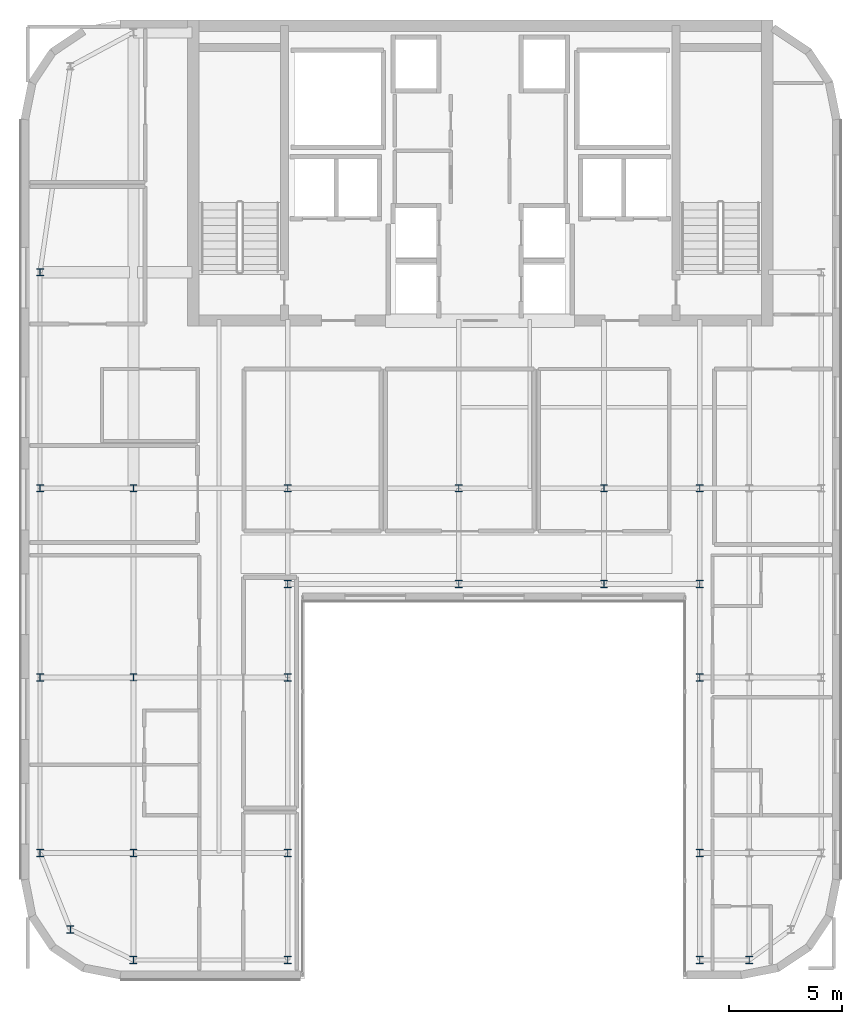
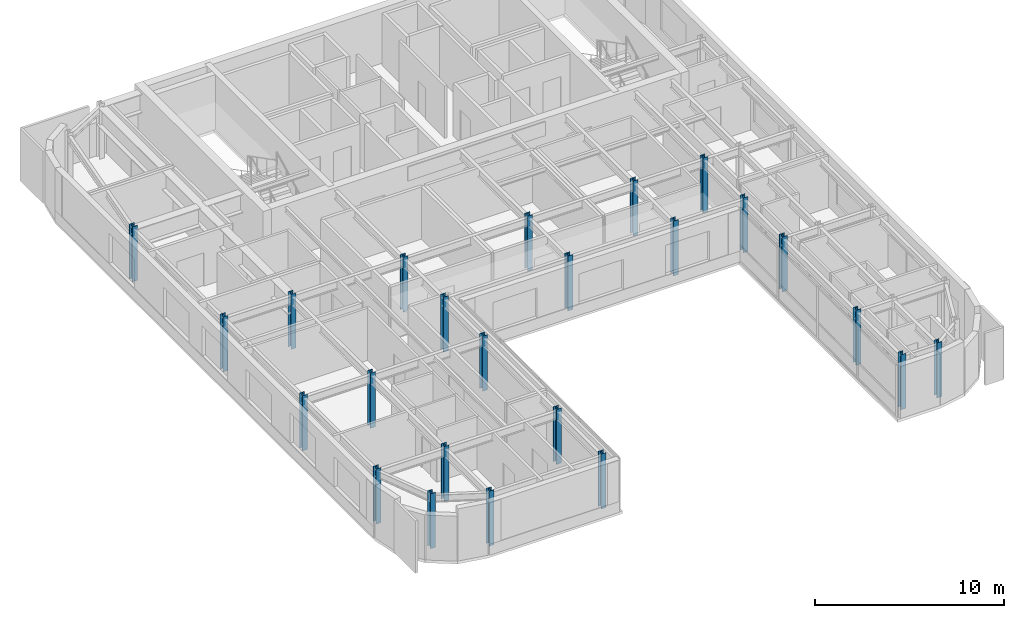
# One storey, part 1 of 21: 24 columns.
"""IFC4 building model written with IfcOpenShell, lengths in metres."""

from ifc_helpers import new_model, si_unit, direction, frame, origin, origin_2d, place, context, subcontext, project, spatial, i_section, extrude, source, transform, mapped, material, material_profile, profile_set, type_object, type_shapes, element, save


model = new_model("IFC4")

# Units and contexts
model_context = context("Model", 3, precision=1e-05, world=origin(), true_north=direction((0.0, 1.0)))
body_context = subcontext(model_context, "Body", "Model", "MODEL_VIEW")
ifc_project = project(units=[si_unit("LENGTHUNIT", "METRE"), si_unit("AREAUNIT", "SQUARE_METRE"), si_unit("VOLUMEUNIT", "CUBIC_METRE"), si_unit("PLANEANGLEUNIT", "RADIAN"), si_unit("MASSUNIT", "GRAM", prefix="KILO")], contexts=[model_context])

# Site, building, storey
site_placement = place(None, origin())
site = spatial("IfcSite", under=ifc_project, at=site_placement, CompositionType="ELEMENT")
building_placement = place(site_placement, origin())
building = spatial("IfcBuilding", under=site, at=building_placement, Name="Tolvann Quenvar Hotel", CompositionType="ELEMENT")
storey_placement = place(building_placement, frame((0.0, 0.0, 255.85009765625)))
storey = spatial("IfcBuildingStorey", under=building, at=storey_placement, Name="L68", CompositionType="ELEMENT", Elevation=255.85009765625)

# Columns
ifc_material = material(Name="Steel Grade 350", Category="steel")
ifc_material_profile_1 = material_profile(ifc_material, i_section(OverallWidth=0.30908203125, OverallDepth=0.321044921875, WebThickness=0.013916015625, FlangeThickness=0.021728515625, FilletRadius=0.0166015625, at=origin_2d()), Name="310UC137")
ifc_profile_set_1 = profile_set([ifc_material_profile_1], Name="Steel Grade 350")
column_type_1 = type_object("IfcColumnType", Name="COL_310UC137", PredefinedType="COLUMN", material=ifc_profile_set_1)
shared_shape_1 = source(origin(), body_context, "Body", "SweptSolid", [
    extrude(i_section(OverallWidth=0.30908203125, OverallDepth=0.321044921875, WebThickness=0.013916015625, FlangeThickness=0.021728515625, FilletRadius=0.0166015625, at=origin_2d()), origin(), (0.0, 0.0, 1.0), 3.5498046875),
])
type_shapes(column_type_1, [shared_shape_1])
for number, where, z_axis, x_axis, name in (
    (1, (4.800048828125, 4.800048828125, 0.0), (0.0, 0.0, 1.0), (1.0, 0.0, 0.0), "Column B2 (L68)"),
    (2, (3.449951171875, 8.199951171875, 0.0), (0.0, 0.0, 1.0), (1.0, 0.0, 0.0), "Column B3 (L68)"),
    (3, (3.449951171875, 16.0, 0.0), (0.0, 0.0, 1.0), (1.0, 0.0, 0.0), "Column B4 (L68)"),
    (4, (7.60009765625, 3.449951171875, 0.0), (0.0, 0.0, 1.0), (1.0, 0.0, 0.0), "Column C2 (L68)"),
    (5, (14.449951171875, 3.449951171875, 0.0), (0.0, 0.0, 1.0), (1.0, 0.0, 0.0), "Column D2 (L68)"),
    (6, (14.449951171875, 8.199951171875, 0.0), (0.0, 0.0, 1.0), (1.0, 0.0, 0.0), "Column D3 (L68)"),
    (7, (14.449951171875, 16.0, 0.0), (0.0, 0.0, 1.0), (1.0, 0.0, 0.0), "Column D4 (L68)"),
    (8, (32.75, 3.449951171875, 0.0), (0.0, 0.0, 1.0), (1.0, 0.0, 0.0), "Column FP2 (L68)"),
    (9, (32.75, 8.199951171875, 0.0), (0.0, 0.0, 1.0), (1.0, 0.0, 0.0), "Column FP3 (L68)"),
    (10, (32.75, 16.0, 0.0), (0.0, 0.0, 1.0), (1.0, 0.0, 0.0), "Column FP4 (L68)"),
    (11, (34.949951171875, 3.449951171875, 0.0), (0.0, 0.0, 1.0), (1.0, 0.0, 0.0), "Column F2 (L68)"),
    (12, (3.449951171875, 24.39990234375, 0.0), (0.0, 0.0, 1.0), (1.0, 0.0, 0.0), "Column B5 (L68)"),
    (13, (14.449951171875, 20.14990234375, 0.0), (0.0, 0.0, 1.0), (1.0, 0.0, 0.0), "Column D4P (L68)"),
    (14, (22.050048828125, 20.14990234375, 0.0), (0.0, 0.0, 1.0), (1.0, 0.0, 0.0), "Column E4P (L68)"),
    (15, (28.5, 20.14990234375, 0.0), (0.0, 0.0, 1.0), (1.0, 0.0, 0.0), "Column M4P (L68)"),
    (16, (32.75, 20.14990234375, 0.0), (0.0, 0.0, 1.0), (1.0, 0.0, 0.0), "Column FP4P (L68)"),
    (17, (3.449951171875, 34.0, 0.0), (0.0, 0.0, 1.0), (1.0, 0.0, 0.0), "Column BD6 (L68)"),
):
    element("IfcColumn", number, at=place(storey_placement, frame(where, z_axis=z_axis, x_axis=x_axis)), inside=storey, type_object=column_type_1, Name=name, PredefinedType="COLUMN", context=body_context, shape_type="MappedRepresentation", body=[
        mapped(shared_shape_1, transform((0.0, 0.0, 0.0), x_axis=(1.0, 0.0, 0.0), y_axis=(0.0, 1.0, 0.0), z_axis=(0.0, 0.0, 1.0), scale=1.0)),
    ])
ifc_material_profile_2 = material_profile(ifc_material, i_section(OverallWidth=0.306884765625, OverallDepth=0.31494140625, WebThickness=0.011962890625, FlangeThickness=0.018798828125, FilletRadius=0.0166015625, at=origin_2d()), Name="310UC118")
ifc_profile_set_2 = profile_set([ifc_material_profile_2], Name="Steel Grade 350")
column_type_2 = type_object("IfcColumnType", Name="COL_310UC118", PredefinedType="COLUMN", material=ifc_profile_set_2)
shared_shape_2 = source(origin(), body_context, "Body", "SweptSolid", [
    extrude(i_section(OverallWidth=0.306884765625, OverallDepth=0.31494140625, WebThickness=0.011962890625, FlangeThickness=0.018798828125, FilletRadius=0.0166015625, at=origin_2d()), origin(), (0.0, 0.0, 1.0), 3.5498046875),
])
type_shapes(column_type_2, [shared_shape_2])
for number, where, z_axis, x_axis, name in (
    (18, (7.60009765625, 8.199951171875, 0.0), (0.0, 0.0, 1.0), (1.0, 0.0, 0.0), "Column C3 (L68)"),
    (19, (7.60009765625, 16.0, 0.0), (0.0, 0.0, 1.0), (1.0, 0.0, 0.0), "Column C4 (L68)"),
    (20, (7.60009765625, 24.39990234375, 0.0), (0.0, 0.0, 1.0), (1.0, 0.0, 0.0), "Column C5 (L68)"),
    (21, (14.449951171875, 24.39990234375, 0.0), (0.0, 0.0, 1.0), (1.0, 0.0, 0.0), "Column D5 (L68)"),
    (22, (22.050048828125, 24.39990234375, 0.0), (0.0, 0.0, 1.0), (1.0, 0.0, 0.0), "Column E5 (L68)"),
    (23, (28.5, 24.39990234375, 0.0), (0.0, 0.0, 1.0), (1.0, 0.0, 0.0), "Column M5 (L68)"),
    (24, (32.75, 24.39990234375, 0.0), (0.0, 0.0, 1.0), (1.0, 0.0, 0.0), "Column FP5 (L68)"),
):
    element("IfcColumn", number, at=place(storey_placement, frame(where, z_axis=z_axis, x_axis=x_axis)), inside=storey, type_object=column_type_2, Name=name, PredefinedType="COLUMN", context=body_context, shape_type="MappedRepresentation", body=[
        mapped(shared_shape_2, transform((0.0, 0.0, 0.0), x_axis=(1.0, 0.0, 0.0), y_axis=(0.0, 1.0, 0.0), z_axis=(0.0, 0.0, 1.0), scale=1.0)),
    ])

save(model, "model.ifc")
